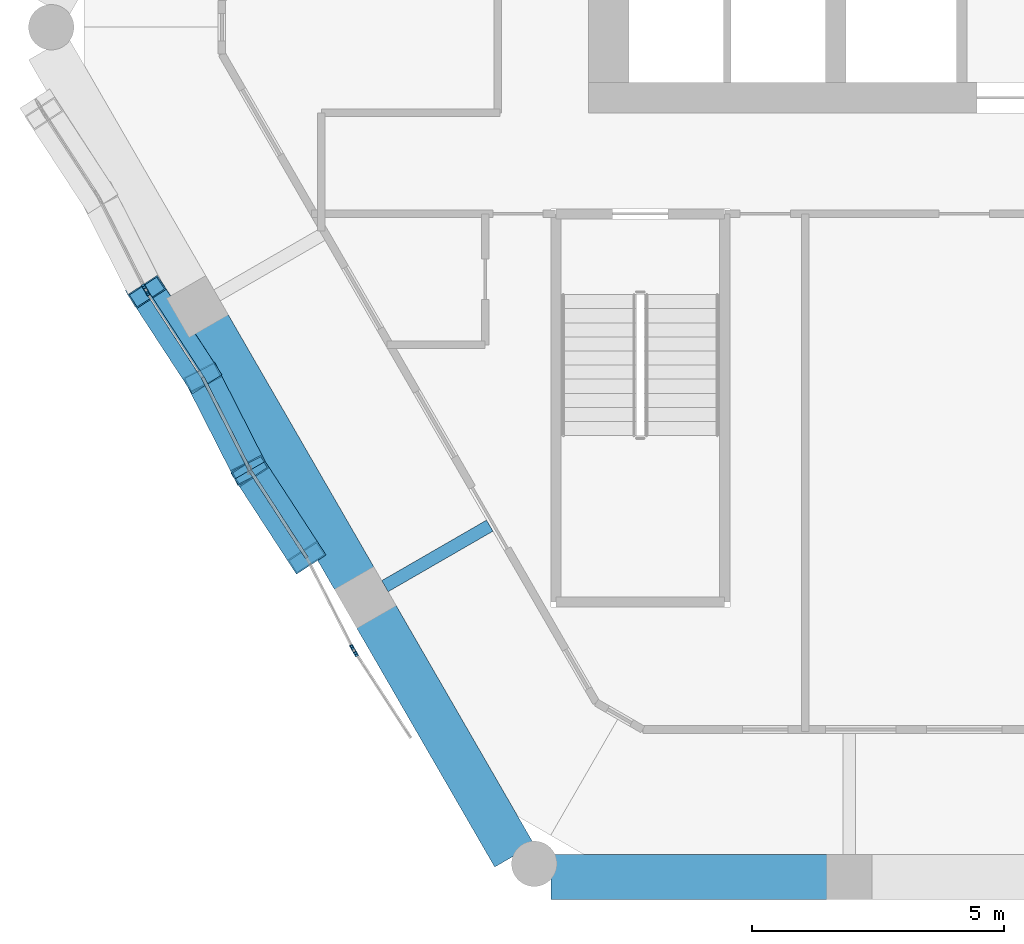
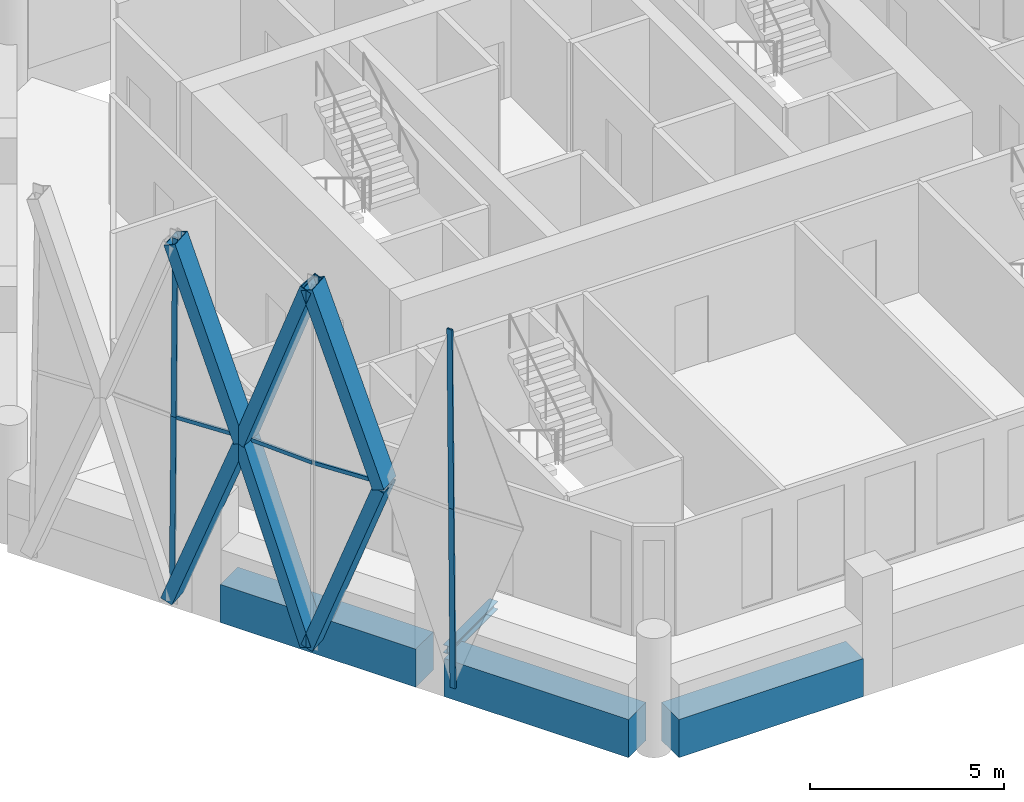
# One storey, part 2 of 18: 13 members, 4 beams, 2 elements without a shape of their own.
"""IFC4 building model written with IfcOpenShell, lengths in metres."""

import ifcopenshell
import ifcopenshell.guid

model = None  # the IFC model being written
_history = None  # IfcOwnerHistory: only IFC2X3 demands one
_inside = {}  # id of a spatial element -> (the spatial element, [elements in it])
_under = {}  # id of a project, library or spatial element -> (it, [spatial elements below it])
_declared = {}  # id of a project -> (the project, [libraries it declares])
_typed = {}  # id of a type object -> (the type object, [elements of that type])
_made_of = {}  # id of a material, layer set ... -> (it, [elements and type objects made of it])


def new_model(schema):
    """Start an empty IFC model of exactly this schema.

    Asked for "IFC4X3", IfcOpenShell would pick the latest addendum, in which some entities
    have other attributes; the version numbers below select the first issue.
    IFC2X3 requires an IfcOwnerHistory on every rooted entity: one is made here for all.
    """
    global model, _history
    if schema == "IFC4X3":
        model = ifcopenshell.file(schema_version=(4, 3, 0, 0))
    else:
        model = ifcopenshell.file(schema=schema)
    _inside.clear()
    _under.clear()
    _declared.clear()
    _typed.clear()
    _made_of.clear()
    _history = None
    if model.schema == "IFC2X3":
        org = make("IfcOrganization", Name="unknown")
        user = make(
            "IfcPersonAndOrganization",
            ThePerson=make("IfcPerson", FamilyName="unknown"),
            TheOrganization=org,
        )
        app = make(
            "IfcApplication",
            ApplicationDeveloper=org,
            Version="unknown",
            ApplicationFullName="unknown",
            ApplicationIdentifier="unknown",
        )
        _history = make(
            "IfcOwnerHistory",
            OwningUser=user,
            OwningApplication=app,
            ChangeAction="ADDED",
            CreationDate=0,
        )
    return model


def make(cls, **values):
    """One entity of the class cls with the attributes given. An attribute that is None is left unset."""
    return model.create_entity(
        cls, **{name: value for name, value in values.items() if value is not None}
    )


def rooted(cls, **values):
    """An entity with a GlobalId (a new one), such as an element, a storey or a relation."""
    return make(cls, GlobalId=ifcopenshell.guid.new(), OwnerHistory=_history, **values)


def si_unit(unit_type, name, prefix=None):
    """IfcSIUnit, for example si_unit("LENGTHUNIT", "METRE", prefix="MILLI")."""
    return make("IfcSIUnit", UnitType=unit_type, Prefix=prefix, Name=name)


def assignment(units):
    """IfcUnitAssignment: the units of a project."""
    return None if units is None else make("IfcUnitAssignment", Units=units)


def point(xyz):
    """IfcCartesianPoint."""
    return None if xyz is None else make("IfcCartesianPoint", Coordinates=xyz)


def direction(xyz):
    """IfcDirection."""
    return None if xyz is None else make("IfcDirection", DirectionRatios=xyz)


def frame(location, z_axis=None, x_axis=None):
    """IfcAxis2Placement3D, a coordinate frame: its origin and axes. An axis left out is left unset."""
    return make(
        "IfcAxis2Placement3D",
        Location=point(location),
        Axis=direction(z_axis),
        RefDirection=direction(x_axis),
    )


def frame_2d(location, x_axis=None):
    """IfcAxis2Placement2D, a coordinate frame in the plane: its origin and x axis."""
    return make(
        "IfcAxis2Placement2D", Location=point(location), RefDirection=direction(x_axis)
    )


def origin():
    """The frame at (0, 0, 0) with its axes left unset."""
    return frame((0.0, 0.0, 0.0))


def origin_2d():
    """The frame at (0, 0) in the plane with its x axis left unset."""
    return frame_2d((0.0, 0.0))


def place(relative_to, where):
    """IfcLocalPlacement: puts the frame where relative to a parent placement (None: the world)."""
    return make(
        "IfcLocalPlacement", PlacementRelTo=relative_to, RelativePlacement=where
    )


def context(
    kind, dimensions, precision=None, world=None, true_north=None, identifier=None
):
    """IfcGeometricRepresentationContext, for example the 3D "Model" context."""
    return make(
        "IfcGeometricRepresentationContext",
        ContextIdentifier=identifier,
        ContextType=kind,
        CoordinateSpaceDimension=dimensions,
        Precision=precision,
        WorldCoordinateSystem=world,
        TrueNorth=true_north,
    )


def subcontext(parent, identifier, kind, view, scale=None):
    """IfcGeometricRepresentationSubContext, for example "Body" below "Model"."""
    return make(
        "IfcGeometricRepresentationSubContext",
        ContextIdentifier=identifier,
        ContextType=kind,
        ParentContext=parent,
        TargetScale=scale,
        TargetView=view,
    )


def project(units=None, contexts=None):
    """IfcProject with its units and contexts."""
    return rooted(
        "IfcProject",
        Name="project",
        RepresentationContexts=contexts,
        UnitsInContext=assignment(units),
    )


def spatial(cls, under=None, at=None, **own):
    """A site, building, storey or space (cls), placed at a placement, below another one or the project."""
    s = rooted(cls, ObjectPlacement=at, **own)
    if under is not None:
        _under.setdefault(under.id(), (under, []))[1].append(s)
    return s


def profile(cls, at=None, kind="AREA", **sizes):
    """A parametric profile (cls). Its sizes go by their IFC names, for example OverallWidth=200.0."""
    return make(cls, ProfileType=kind, Position=at, **sizes)


def rectangle(**sizes):
    """IfcRectangleProfileDef."""
    return profile("IfcRectangleProfileDef", **sizes)


def hollow_rectangle(**sizes):
    """IfcRectangleHollowProfileDef."""
    return profile("IfcRectangleHollowProfileDef", **sizes)


def i_section(**sizes):
    """IfcIShapeProfileDef."""
    return profile("IfcIShapeProfileDef", **sizes)


def extrude(swept, where, along, depth):
    """IfcExtrudedAreaSolid: the profile swept, set in the frame where, extruded along a direction by depth."""
    return make(
        "IfcExtrudedAreaSolid",
        SweptArea=swept,
        Position=where,
        ExtrudedDirection=direction(along),
        Depth=depth,
    )


def shape(context_of_items, identifier, shape_type, items):
    """IfcShapeRepresentation: the items that make up one representation, for example the "Body"."""
    return make(
        "IfcShapeRepresentation",
        ContextOfItems=context_of_items,
        RepresentationIdentifier=identifier,
        RepresentationType=shape_type,
        Items=items,
    )


def material(Name=None, Category=None):
    """IfcMaterial."""
    return make("IfcMaterial", Name=Name, Category=Category)


def material_profile(
    of_material, cross_section, Name=None, Category=None, Priority=None
):
    """IfcMaterialProfile: a cross section and its material."""
    return make(
        "IfcMaterialProfile",
        Name=Name,
        Material=of_material,
        Profile=cross_section,
        Priority=Priority,
        Category=Category,
    )


def profile_set(profiles, Name=None, composite=None):
    """IfcMaterialProfileSet."""
    return make(
        "IfcMaterialProfileSet",
        Name=Name,
        MaterialProfiles=profiles,
        CompositeProfile=composite,
    )


def made_of(thing, what):
    """Note that an element or type object is made of a material, layer set ...; save() writes the relation."""
    if what is not None:
        _made_of.setdefault(what.id(), (what, []))[1].append(thing)
    return thing


def type_object(cls, material=None, **own):
    """A type object (cls), such as IfcWallType, which elements share."""
    return made_of(rooted(cls, **own), material)


def element(
    cls,
    number,
    at=None,
    inside=None,
    cuts=None,
    type_object=None,
    material=None,
    context=None,
    identifier="Body",
    shape_type=None,
    held_by="IfcProductDefinitionShape",
    body=None,
    shapes=None,
    **own,
):
    """One element of the class cls, such as IfcWall. Its Tag is "e" and its number.

    at: its placement. inside: the storey or other place that contains it. cuts: it is an
    opening in that element (IfcRelVoidsElement). A single representation is given by context,
    identifier, shape_type and body (its items); several are given by shapes. held_by: the class
    of the entity that holds the representations. save() writes the other relations.
    """
    e = rooted(cls, Tag="e%d" % number, ObjectPlacement=at, **own)
    if body is not None:
        shapes = [shape(context, identifier, shape_type, body)]
    if shapes is not None:
        e.Representation = make(held_by, Representations=shapes)
    if inside is not None:
        _inside.setdefault(inside.id(), (inside, []))[1].append(e)
    if cuts is not None:
        rooted(
            "IfcRelVoidsElement", RelatingBuildingElement=cuts, RelatedOpeningElement=e
        )
    if type_object is not None:
        _typed.setdefault(type_object.id(), (type_object, []))[1].append(e)
    return made_of(e, material)


def aggregate(whole, parts):
    """IfcRelAggregates: a whole, such as a stair, and the parts it consists of."""
    return rooted("IfcRelAggregates", RelatingObject=whole, RelatedObjects=parts)


def save(model, path):
    """Write the relations noted so far, then the file.

    IfcRelAggregates (storeys below a building ...), IfcRelContainedInSpatialStructure (elements
    in a storey), IfcRelDefinesByType, IfcRelAssociatesMaterial and IfcRelDeclares: one each for
    every whole, place, type object, material and project.
    """
    for whole, parts in _under.values():
        aggregate(whole, parts)
    for where, things in _inside.values():
        rooted(
            "IfcRelContainedInSpatialStructure",
            RelatedElements=things,
            RelatingStructure=where,
        )
    for kind, things in _typed.values():
        rooted("IfcRelDefinesByType", RelatedObjects=things, RelatingType=kind)
    for what, things in _made_of.values():
        rooted("IfcRelAssociatesMaterial", RelatedObjects=things, RelatingMaterial=what)
    for by, libraries in _declared.values():
        rooted("IfcRelDeclares", RelatingContext=by, RelatedDefinitions=libraries)
    model.write(path)


model = new_model("IFC4")

# Units and contexts
model_context = context("Model", 3, precision=1e-05, world=origin(), true_north=direction((0.0, 1.0)))
body_context = subcontext(model_context, "Body", "Model", "MODEL_VIEW")
ifc_project = project(units=[si_unit("LENGTHUNIT", "METRE"), si_unit("AREAUNIT", "SQUARE_METRE"), si_unit("VOLUMEUNIT", "CUBIC_METRE"), si_unit("PLANEANGLEUNIT", "RADIAN"), si_unit("MASSUNIT", "GRAM", prefix="KILO")], contexts=[model_context])

# Site, building, storey
site_placement = place(None, origin())
site = spatial("IfcSite", under=ifc_project, at=site_placement, CompositionType="ELEMENT")
building_placement = place(site_placement, origin())
building = spatial("IfcBuilding", under=site, at=building_placement, Name="Ostrander Bayou Hotel Tower", CompositionType="ELEMENT")
storey_placement = place(building_placement, frame((0.0, 0.0, 214.5)))
storey = spatial("IfcBuildingStorey", under=building, at=storey_placement, Name="L53", CompositionType="ELEMENT", Elevation=214.5)

# Curtain wall, members
ifc_material_1 = material(Name="Aluminium and clear glass", Category="aluminium")
curtain_wall_type = type_object("IfcCurtainWallType", Name="CW-LAT lattice glazing", PredefinedType="NOTDEFINED", material=ifc_material_1)
curtain_wall_1_placement = place(storey_placement, origin())
curtain_wall_1 = element("IfcCurtainWall", 1, at=curtain_wall_1_placement, inside=storey, type_object=curtain_wall_type, Name="CW-LAT L53 SW 1", PredefinedType="NOTDEFINED")
ifc_material_2 = material(Name="Aluminium", Category="aluminium")
ifc_material_profile_1 = material_profile(ifc_material_2, hollow_rectangle(XDim=0.06005859375, YDim=0.159912109375, WallThickness=0.00390625, at=origin_2d()))
ifc_profile_set_1 = profile_set([ifc_material_profile_1], Name="Aluminium")
member_type_1 = type_object("IfcMemberType", Name="CW-LA mullion 60 x 160 mm", PredefinedType="MULLION", material=ifc_profile_set_1)
member_1_placement = place(storey_placement, frame((-17.30419921875, -5.168212890625, -0.60009765625), z_axis=(0.00420992022, -0.007291408216, 0.999964555341), x_axis=(0.866013897511, 0.50001992892, 0.0)))
member_1 = element("IfcMember", 2, at=member_1_placement, type_object=member_type_1, Name="CW-LAT mullion 4", PredefinedType="MULLION", context=body_context, shape_type="SweptSolid", body=[
    extrude(hollow_rectangle(XDim=0.06005859375, YDim=0.159912109375, WallThickness=0.00390625, at=origin_2d()), origin(), (0.0, 0.0, 1.0), 5.625244140625),
])
member_2_placement = place(storey_placement, frame((-17.280517578125, -5.209228515625, 5.02490234375), z_axis=(0.004166521053, -0.007248010581, 0.999965052612), x_axis=(0.86696238118, 0.498373584391, 0.0)))
member_2 = element("IfcMember", 3, at=member_2_placement, type_object=member_type_1, Name="CW-LAT mullion 5", PredefinedType="MULLION", context=body_context, shape_type="SweptSolid", body=[
    extrude(hollow_rectangle(XDim=0.06005859375, YDim=0.159912109375, WallThickness=0.00390625, at=origin_2d()), origin(), (0.0, 0.0, 1.0), 5.625244140625),
])
member_3_placement = place(storey_placement, frame((-13.1279296875, -12.401611328125, -0.60009765625), z_axis=(-0.004209921548, 0.007248009263, 0.999964870844), x_axis=(-0.864716406097, -0.502260427494, 0.0)))
member_3 = element("IfcMember", 4, at=member_3_placement, type_object=member_type_1, Name="CW-LAT mullion 12", PredefinedType="MULLION", context=body_context, shape_type="SweptSolid", body=[
    extrude(hollow_rectangle(XDim=0.06005859375, YDim=0.159912109375, WallThickness=0.00390625, at=origin_2d()), origin(), (0.0, 0.0, 1.0), 5.625244140625),
])
member_4_placement = place(storey_placement, frame((-13.151611328125, -12.36083984375, 5.02490234375), z_axis=(-0.00420992022, 0.007291408216, 0.999964555341), x_axis=(-0.866013897511, -0.50001992892, 0.0)))
member_4 = element("IfcMember", 5, at=member_4_placement, type_object=member_type_1, Name="CW-LAT mullion 13", PredefinedType="MULLION", context=body_context, shape_type="SweptSolid", body=[
    extrude(hollow_rectangle(XDim=0.06005859375, YDim=0.159912109375, WallThickness=0.00390625, at=origin_2d()), origin(), (0.0, 0.0, 1.0), 5.625244140625),
])
aggregate(curtain_wall_1, [member_1, member_2, member_3, member_4])

curtain_wall_2_placement = place(storey_placement, origin())
curtain_wall_2 = element("IfcCurtainWall", 6, at=curtain_wall_2_placement, inside=storey, type_object=curtain_wall_type, Name="CW-LAT L53 SW 2", PredefinedType="NOTDEFINED")
ifc_material_3 = material(Name="Aluminium", Category="aluminium")
ifc_material_profile_2 = material_profile(ifc_material_3, hollow_rectangle(XDim=0.06005859375, YDim=0.1201171875, WallThickness=0.00390625, at=origin_2d()))
ifc_profile_set_2 = profile_set([ifc_material_profile_2], Name="Aluminium")
member_type_2 = type_object("IfcMemberType", Name="CW-LA transom 60 x 120 mm", PredefinedType="USERDEFINED", material=ifc_profile_set_2)
member_5_placement = place(storey_placement, frame((-17.280517578125, -5.209228515625, 5.02490234375), z_axis=(0.54512532492, -0.838354567072, 0.0), x_axis=(0.838354567072, 0.54512532492, 0.0)))
member_5 = element("IfcMember", 7, at=member_5_placement, type_object=member_type_2, Name="CW-LAT transom 7", ObjectType="TRANSOM", PredefinedType="USERDEFINED", context=body_context, shape_type="SweptSolid", body=[
    extrude(hollow_rectangle(XDim=0.06005859375, YDim=0.1201171875, WallThickness=0.00390625, at=origin_2d()), origin(), (0.0, 0.0, 1.0), 2.0673828125),
])
member_6_placement = place(storey_placement, frame((-15.216064453125, -8.784912109375, 5.02490234375), z_axis=(-0.45348522251, 0.891263795386, 0.0), x_axis=(-0.891263795386, -0.45348522251, 0.0)))
member_6 = element("IfcMember", 8, at=member_6_placement, type_object=member_type_2, Name="CW-LAT transom 10", ObjectType="TRANSOM", PredefinedType="USERDEFINED", context=body_context, shape_type="SweptSolid", body=[
    extrude(hollow_rectangle(XDim=0.06005859375, YDim=0.1201171875, WallThickness=0.00390625, at=origin_2d()), origin(), (0.0, 0.0, 1.0), 2.0673828125),
])
member_7_placement = place(storey_placement, frame((-15.216064453125, -8.784912109375, 5.02490234375), z_axis=(0.545071358856, -0.838389655086, 0.0), x_axis=(0.838389655086, 0.545071358856, 0.0)))
member_7 = element("IfcMember", 9, at=member_7_placement, type_object=member_type_2, Name="CW-LAT transom 11", ObjectType="TRANSOM", PredefinedType="USERDEFINED", context=body_context, shape_type="SweptSolid", body=[
    extrude(hollow_rectangle(XDim=0.06005859375, YDim=0.1201171875, WallThickness=0.00390625, at=origin_2d()), origin(), (0.0, 0.0, 1.0), 2.067626953125),
])
aggregate(curtain_wall_2, [member_5, member_6, member_7])

# Beam
ifc_material_4 = material(Name="Steel ASTM A992", Category="steel")
ifc_material_profile_3 = material_profile(ifc_material_4, i_section(OverallWidth=0.25390625, OverallDepth=0.25341796875, WebThickness=0.008544921875, FlangeThickness=0.01416015625, at=origin_2d()))
ifc_profile_set_3 = profile_set([ifc_material_profile_3], Name="Steel ASTM A992")
beam_type_1 = type_object("IfcBeamType", Name="LB2 loggia bracket W10x49", PredefinedType="BEAM", material=ifc_profile_set_3)
beam_1_placement = place(storey_placement, frame((-12.5380859375, -11.083251953125, -0.4267578125), z_axis=(0.866024647952, 0.500001309137, 0.0), x_axis=(-0.500001309137, 0.866024647952, 0.0)))
element("IfcBeam", 10, at=beam_1_placement, inside=storey, type_object=beam_type_1, Name="LB2 L53 SW2", PredefinedType="BEAM", context=body_context, shape_type="SweptSolid", body=[
    extrude(i_section(OverallWidth=0.25390625, OverallDepth=0.25341796875, WebThickness=0.008544921875, FlangeThickness=0.01416015625, at=origin_2d()), origin(), (0.0, 0.0, 1.0), 2.39990234375),
])

# Members
ifc_material_5 = material(Name="Steel ASTM A572 Gr 50", Category="steel")
ifc_material_profile_4 = material_profile(ifc_material_5, hollow_rectangle(XDim=0.699951171875, YDim=0.35009765625, WallThickness=0.02490234375, at=origin_2d()))
ifc_profile_set_4 = profile_set([ifc_material_profile_4], Name="Steel ASTM A572 Gr 50")
member_type_3 = type_object("IfcMemberType", Name="LT1 lattice member box 700 x 350 x 25 mm", PredefinedType="BRACE", material=ifc_profile_set_4)
member_8_placement = place(storey_placement, frame((-16.153564453125, -6.9423828125, 5.02490234375), z_axis=(-0.19147414186, 0.295235007192, -0.936041635573), x_axis=(-0.838999749607, -0.544131804032, 0.0)))
element("IfcMember", 11, at=member_8_placement, inside=storey, type_object=member_type_3, Name="LT1 L53 SW 5", PredefinedType="BRACE", context=body_context, shape_type="SweptSolid", body=[
    extrude(hollow_rectangle(XDim=0.699951171875, YDim=0.35009765625, WallThickness=0.02490234375, at=origin_2d()), origin(), (0.0, 0.0, 1.0), 6.00927734375),
])
member_9_placement = place(storey_placement, frame((-16.153564453125, -6.9423828125, 5.02490234375), z_axis=(-0.184632169995, 0.283157124426, 0.941133893072), x_axis=(-0.837658672928, -0.546194056785, 0.0)))
element("IfcMember", 12, at=member_9_placement, inside=storey, type_object=member_type_3, Name="LT1 L53 SW 6", PredefinedType="BRACE", context=body_context, shape_type="SweptSolid", body=[
    extrude(hollow_rectangle(XDim=0.699951171875, YDim=0.35009765625, WallThickness=0.02490234375, at=origin_2d()), origin(), (0.0, 0.0, 1.0), 5.976806640625),
])
for number, where, z_axis, x_axis, name in (
    (13, (-16.153564453125, -6.9423828125, 5.02490234375), (0.156435996819, -0.307453767706, -0.938615980912), (0.891263795386, 0.45348522251, 0.0), "LT1 L53 SW 7"),
    (14, (-16.153564453125, -6.9423828125, 5.02490234375), (0.156435996819, -0.307453767706, 0.938615980912), (0.891263795386, 0.45348522251, 0.0), "LT1 L53 SW 8"),
    (15, (-14.089111328125, -10.518310546875, 5.02490234375), (-0.188046818947, 0.289240124464, -0.938604572908), (-0.838389655086, -0.545071358856, 0.0), "LT1 L53 SW 9"),
    (16, (-14.089111328125, -10.518310546875, 5.02490234375), (-0.188046818947, 0.289240124464, 0.938604572908), (-0.838389655086, -0.545071358856, 0.0), "LT1 L53 SW 10"),
):
    element("IfcMember", number, at=place(storey_placement, frame(where, z_axis=z_axis, x_axis=x_axis)), inside=storey, type_object=member_type_3, Name=name, PredefinedType="BRACE", context=body_context, shape_type="SweptSolid", body=[
        extrude(hollow_rectangle(XDim=0.699951171875, YDim=0.35009765625, WallThickness=0.02490234375, at=origin_2d()), origin(), (0.0, 0.0, 1.0), 5.992919921875),
    ])

# Beams
ifc_material_6 = material(Name="Concrete f'c 60 MPa", Category="concrete")
ifc_material_profile_5 = material_profile(ifc_material_6, rectangle(XDim=0.89990234375, YDim=1.199951171875, at=origin_2d()))
ifc_profile_set_5 = profile_set([ifc_material_profile_5], Name="Concrete f'c 60 MPa")
beam_type_2 = type_object("IfcBeamType", Name="SP4 spandrel beam 900 x 1200 mm f'c 60 MPa", PredefinedType="SPANDREL", material=ifc_profile_set_5)
beam_2_placement = place(storey_placement, frame((-16.047119140625, -5.905517578125, -0.60009765625), z_axis=(0.500015433515, -0.866016493057, 0.0), x_axis=(0.866016493057, 0.500015433515, 0.0)))
element("IfcBeam", 17, at=beam_2_placement, inside=storey, type_object=beam_type_2, Name="SP4 L53 SW-2", PredefinedType="SPANDREL", context=body_context, shape_type="SweptSolid", body=[
    extrude(rectangle(XDim=0.89990234375, YDim=1.199951171875, at=origin_2d()), origin(), (0.0, 0.0, 1.0), 5.818603515625),
])
for number, where, z_axis, x_axis, name in (
    (18, (-12.7177734375, -11.672119140625, -0.60009765625), (0.50000722722, -0.866021231107, 0.0), (0.866021231107, 0.50000722722, 0.0), "SP4 L53 SW-3"),
    (19, (-9.2412109375, -16.85009765625, -0.60009765625), (1.0, 0.0, 0.0), (0.0, 1.0, 0.0), "SP4 L53 S-1"),
):
    element("IfcBeam", number, at=place(storey_placement, frame(where, z_axis=z_axis, x_axis=x_axis)), inside=storey, type_object=beam_type_2, Name=name, PredefinedType="SPANDREL", context=body_context, shape_type="SweptSolid", body=[
        extrude(rectangle(XDim=0.89990234375, YDim=1.199951171875, at=origin_2d()), origin(), (0.0, 0.0, 1.0), 5.49169921875),
    ])

save(model, "model.ifc")
